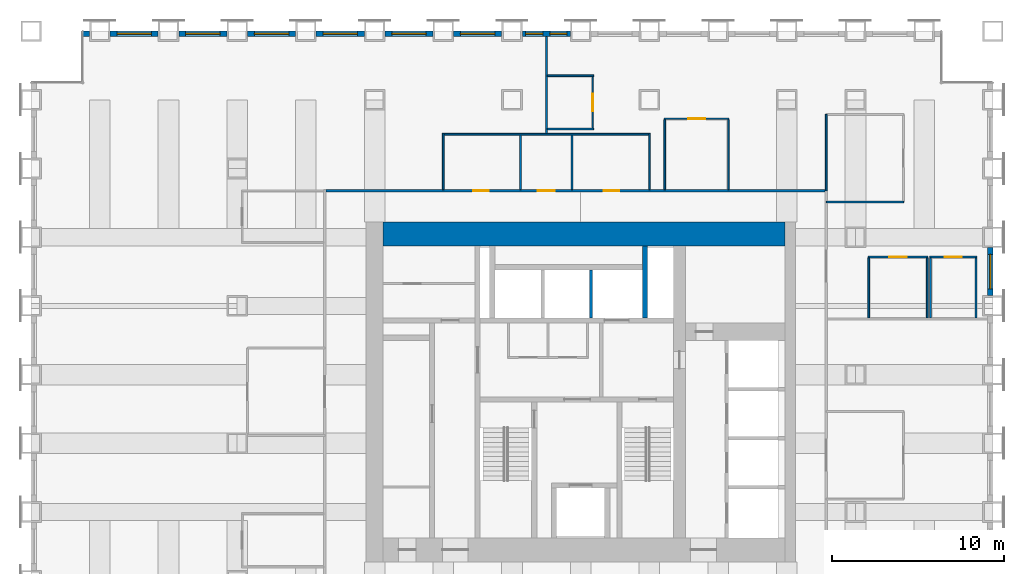
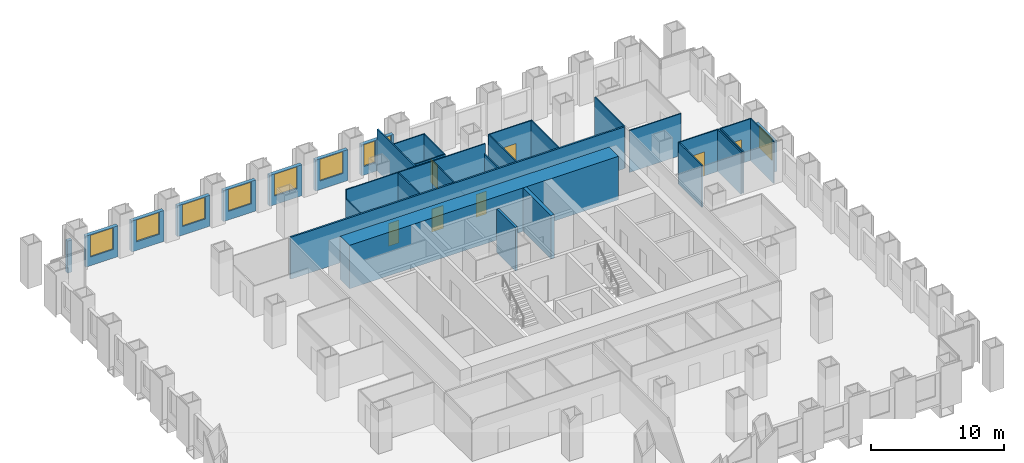
# One storey, part 11 of 14: 33 walls, 9 windows, 7 doors, 16 openings.
"""IFC4 building model written with IfcOpenShell, lengths in metres."""

from ifc_helpers import new_model, si_unit, direction, frame, frame_2d, origin, place, context, subcontext, project, spatial, rectangle, extrude, material, layer, layer_set, type_object, element, fill, save


model = new_model("IFC4")

# Units and contexts
model_context = context("Model", 3, precision=1e-05, world=origin(), true_north=direction((0.0, 1.0)))
body_context = subcontext(model_context, "Body", "Model", "MODEL_VIEW")
ifc_project = project(units=[si_unit("LENGTHUNIT", "METRE"), si_unit("AREAUNIT", "SQUARE_METRE"), si_unit("VOLUMEUNIT", "CUBIC_METRE"), si_unit("PLANEANGLEUNIT", "RADIAN"), si_unit("MASSUNIT", "GRAM", prefix="KILO")], contexts=[model_context])

# Site, building, storey
site_placement = place(None, origin())
site = spatial("IfcSite", under=ifc_project, at=site_placement, CompositionType="ELEMENT")
building_placement = place(site_placement, origin())
building = spatial("IfcBuilding", under=site, at=building_placement, Name="Rimbunsela Tower", CompositionType="ELEMENT")
storey_placement = place(building_placement, frame((0.0, 0.0, 47.0)))
storey = spatial("IfcBuildingStorey", under=building, at=storey_placement, Name="L11", CompositionType="ELEMENT", Elevation=47.0)

# Walls
ifc_material_1 = material(Name="Concrete fc' 80 MPa", Category="concrete")
ifc_layer_1 = layer(ifc_material_1, 0.300048828125)
ifc_layer_set_1 = layer_set([ifc_layer_1], Name="Core internal wall 300")
wall_type_1 = type_object("IfcWallType", Name="Core internal wall 300", PredefinedType="SHEAR", material=ifc_layer_set_1)
wall_1_placement = place(storey_placement, frame((33.75, 31.300048828125, -0.14990234375), z_axis=(0.0, 0.0, 1.0), x_axis=(0.0, 1.0, 0.0)))
element("IfcWall", 1, at=wall_1_placement, inside=storey, type_object=wall_type_1, Name="Riser wall", PredefinedType="SHEAR", context=body_context, shape_type="SweptSolid", body=[
    extrude(rectangle(XDim=4.199951171875, YDim=0.300048828125, at=frame_2d((2.10009765625, 0.0))), origin(), (0.0, 0.0, 1.0), 4.0),
])
ifc_material_2 = material(Name="Concrete fc' 80 MPa", Category="concrete")
ifc_layer_2 = layer(ifc_material_2, 1.39990234375)
ifc_layer_set_2 = layer_set([ifc_layer_2], Name="Core wall 1400")
wall_type_2 = type_object("IfcWallType", Name="Core wall 1400", PredefinedType="SHEAR", material=ifc_layer_set_2)
wall_2_placement = place(storey_placement, frame((18.5, 36.199951171875, -0.14990234375), z_axis=(0.0, 0.0, 1.0), x_axis=(1.0, 0.0, 0.0)))
element("IfcWall", 2, at=wall_2_placement, inside=storey, type_object=wall_type_2, Name="Core wall north", PredefinedType="SHEAR", context=body_context, shape_type="SweptSolid", body=[
    extrude(rectangle(XDim=23.39990234375, YDim=1.39990234375, at=frame_2d((11.699951171875, 0.0))), origin(), (0.0, 0.0, 1.0), 4.0),
])
ifc_material_3 = material(Name="Concrete blockwork", Category="masonry")
ifc_layer_3 = layer(ifc_material_3, 0.199951171875)
ifc_layer_set_3 = layer_set([ifc_layer_3], Name="Lift shaft wall 200")
wall_type_3 = type_object("IfcWallType", Name="Lift shaft wall 200", PredefinedType="SOLIDWALL", material=ifc_layer_set_3)
wall_3_placement = place(storey_placement, frame((30.60009765625, 31.300048828125, -0.14990234375), z_axis=(0.0, 0.0, 1.0), x_axis=(0.0, 1.0, 0.0)))
element("IfcWall", 3, at=wall_3_placement, inside=storey, type_object=wall_type_3, Name="Lift shaft separation", PredefinedType="SOLIDWALL", context=body_context, shape_type="SweptSolid", body=[
    extrude(rectangle(XDim=2.800048828125, YDim=0.199951171875, at=frame_2d((1.39990234375, 0.0))), origin(), (0.0, 0.0, 1.0), 4.0),
])

# Wall, opening, door
ifc_material_4 = material(Name="Gypsum board on steel studs", Category="steel")
ifc_layer_4 = layer(ifc_material_4, 0.10009765625)
ifc_layer_set_4 = layer_set([ifc_layer_4], Name="Office partition 100")
wall_type_4 = type_object("IfcWallType", Name="Office partition 100", PredefinedType="PARTITIONING", material=ifc_layer_set_4)
wall_4_placement = place(storey_placement, frame((46.72509765625, 34.85009765625, 0.0), z_axis=(0.0, 0.0, 1.0), x_axis=(1.0, 0.0, 0.0)))
wall_4 = element("IfcWall", 4, at=wall_4_placement, inside=storey, type_object=wall_type_4, Name="Office partition", PredefinedType="PARTITIONING", context=body_context, shape_type="SweptSolid", body=[
    extrude(rectangle(XDim=3.5, YDim=0.10009765625, at=frame_2d((1.75, 0.0))), origin(), (0.0, 0.0, 1.0), 3.85009765625),
])
opening_1_placement = place(wall_4_placement, frame((1.25, 0.0, 0.0)))
opening_1 = element("IfcOpeningElement", 5, at=opening_1_placement, cuts=wall_4, Name="Opening D16", PredefinedType="OPENING", context=body_context, shape_type="SweptSolid", body=[
    extrude(rectangle(XDim=1.0, YDim=2.199951171875, at=frame_2d((0.5, 1.10009765625))), frame((0.0, 0.06005859375, 0.0), z_axis=(0.0, -1.0, 0.0), x_axis=(1.0, 0.0, 0.0)), (0.0, 0.0, 1.0), 0.1201171875),
])
ifc_material_5 = material(Name="Timber door", Category="wood")
door_type_1 = type_object("IfcDoorType", Name="Office door 1000", OperationType="SINGLE_SWING_LEFT", PredefinedType="DOOR", material=ifc_material_5)
door_1_placement = place(opening_1_placement, origin())
door_1 = element("IfcDoor", 6, at=door_1_placement, inside=storey, type_object=door_type_1, Name="Office door", OperationType="SINGLE_SWING_LEFT", OverallHeight=2.199951171875, OverallWidth=1.0, PredefinedType="DOOR", context=body_context, shape_type="SweptSolid", body=[
    extrude(rectangle(XDim=1.0, YDim=2.199951171875, at=frame_2d((0.5, 1.10009765625))), frame((0.0, 0.02490234375, 0.0), z_axis=(0.0, -1.0, 0.0), x_axis=(1.0, 0.0, 0.0)), (0.0, 0.0, 1.0), 0.050048828125),
])
fill(opening_1, door_1)

wall_5_placement = place(storey_placement, frame((50.324951171875, 34.85009765625, 0.0), z_axis=(0.0, 0.0, 1.0), x_axis=(1.0, 0.0, 0.0)))
wall_5 = element("IfcWall", 7, at=wall_5_placement, inside=storey, type_object=wall_type_4, Name="Office partition", PredefinedType="PARTITIONING", context=body_context, shape_type="SweptSolid", body=[
    extrude(rectangle(XDim=2.75, YDim=0.10009765625, at=frame_2d((1.375, 0.0))), origin(), (0.0, 0.0, 1.0), 3.85009765625),
])
opening_2_placement = place(wall_5_placement, frame((0.875, 0.0, 0.0)))
opening_2 = element("IfcOpeningElement", 8, at=opening_2_placement, cuts=wall_5, Name="Opening D16", PredefinedType="OPENING", context=body_context, shape_type="SweptSolid", body=[
    extrude(rectangle(XDim=1.0, YDim=2.199951171875, at=frame_2d((0.5, 1.10009765625))), frame((0.0, 0.06005859375, 0.0), z_axis=(0.0, -1.0, 0.0), x_axis=(1.0, 0.0, 0.0)), (0.0, 0.0, 1.0), 0.1201171875),
])
door_2_placement = place(opening_2_placement, origin())
door_2 = element("IfcDoor", 9, at=door_2_placement, inside=storey, type_object=door_type_1, Name="Office door", OperationType="SINGLE_SWING_LEFT", OverallHeight=2.199951171875, OverallWidth=1.0, PredefinedType="DOOR", context=body_context, shape_type="SweptSolid", body=[
    extrude(rectangle(XDim=1.0, YDim=2.199951171875, at=frame_2d((0.5, 1.10009765625))), frame((0.0, 0.02490234375, 0.0), z_axis=(0.0, -1.0, 0.0), x_axis=(1.0, 0.0, 0.0)), (0.0, 0.0, 1.0), 0.050048828125),
])
fill(opening_2, door_2)

# Wall
wall_6_placement = place(storey_placement, frame((28.06005859375, 42.300048828125, 0.0), z_axis=(0.0, 0.0, 1.0), x_axis=(1.0, 0.0, 0.0)))
element("IfcWall", 10, at=wall_6_placement, inside=storey, type_object=wall_type_4, Name="Office partition", PredefinedType="PARTITIONING", context=body_context, shape_type="SweptSolid", body=[
    extrude(rectangle(XDim=2.68994140625, YDim=0.10009765625, at=frame_2d((1.344970703125, 0.0))), origin(), (0.0, 0.0, 1.0), 3.85009765625),
])

# Wall, opening, door
wall_7_placement = place(storey_placement, frame((34.85009765625, 42.89990234375, 0.0), z_axis=(0.0, 0.0, 1.0), x_axis=(1.0, 0.0, 0.0)))
wall_7 = element("IfcWall", 11, at=wall_7_placement, inside=storey, type_object=wall_type_4, Name="Office partition", PredefinedType="PARTITIONING", context=body_context, shape_type="SweptSolid", body=[
    extrude(rectangle(XDim=3.7998046875, YDim=0.10009765625, at=frame_2d((1.89990234375, 0.0))), origin(), (0.0, 0.0, 1.0), 3.85009765625),
])
opening_3_placement = place(wall_7_placement, frame((1.39990234375, 0.0, 0.0)))
opening_3 = element("IfcOpeningElement", 12, at=opening_3_placement, cuts=wall_7, Name="Opening D17", PredefinedType="OPENING", context=body_context, shape_type="SweptSolid", body=[
    extrude(rectangle(XDim=1.0, YDim=2.199951171875, at=frame_2d((0.5, 1.10009765625))), frame((0.0, 0.06005859375, 0.0), z_axis=(0.0, -1.0, 0.0), x_axis=(1.0, 0.0, 0.0)), (0.0, 0.0, 1.0), 0.1201171875),
])
ifc_material_6 = material(Name="Glazed aluminium door", Category="aluminium")
door_type_2 = type_object("IfcDoorType", Name="Meeting room door 1000 glazed", OperationType="SINGLE_SWING_RIGHT", PredefinedType="DOOR", material=ifc_material_6)
door_3_placement = place(opening_3_placement, origin())
door_3 = element("IfcDoor", 13, at=door_3_placement, inside=storey, type_object=door_type_2, Name="Meeting room door", OperationType="SINGLE_SWING_RIGHT", OverallHeight=2.199951171875, OverallWidth=1.0, PredefinedType="DOOR", context=body_context, shape_type="SweptSolid", body=[
    extrude(rectangle(XDim=1.0, YDim=2.199951171875, at=frame_2d((0.5, 1.10009765625))), frame((0.0, 0.02490234375, 0.0), z_axis=(0.0, -1.0, 0.0), x_axis=(1.0, 0.0, 0.0)), (0.0, 0.0, 1.0), 0.050048828125),
])
fill(opening_3, door_3)

# Wall
wall_8_placement = place(storey_placement, frame((28.06005859375, 45.39990234375, 0.0), z_axis=(0.0, 0.0, 1.0), x_axis=(1.0, 0.0, 0.0)))
element("IfcWall", 14, at=wall_8_placement, inside=storey, type_object=wall_type_4, Name="Office partition", PredefinedType="PARTITIONING", context=body_context, shape_type="SweptSolid", body=[
    extrude(rectangle(XDim=2.68994140625, YDim=0.10009765625, at=frame_2d((1.344970703125, 0.0))), origin(), (0.0, 0.0, 1.0), 3.85009765625),
])

# Wall, opening, door
wall_9_placement = place(storey_placement, frame((30.699951171875, 42.35009765625, 0.0), z_axis=(0.0, 0.0, 1.0), x_axis=(0.0, 1.0, 0.0)))
wall_9 = element("IfcWall", 15, at=wall_9_placement, inside=storey, type_object=wall_type_4, Name="Office partition", PredefinedType="PARTITIONING", context=body_context, shape_type="SweptSolid", body=[
    extrude(rectangle(XDim=3.0, YDim=0.10009765625, at=frame_2d((1.5, 0.0))), origin(), (0.0, 0.0, 1.0), 3.85009765625),
])
opening_4_placement = place(wall_9_placement, frame((1.0, 0.0, 0.0)))
opening_4 = element("IfcOpeningElement", 16, at=opening_4_placement, cuts=wall_9, Name="Opening D16", PredefinedType="OPENING", context=body_context, shape_type="SweptSolid", body=[
    extrude(rectangle(XDim=1.0, YDim=2.199951171875, at=frame_2d((0.5, 1.10009765625))), frame((0.0, 0.06005859375, 0.0), z_axis=(0.0, -1.0, 0.0), x_axis=(1.0, 0.0, 0.0)), (0.0, 0.0, 1.0), 0.1201171875),
])
door_4_placement = place(opening_4_placement, origin())
door_4 = element("IfcDoor", 17, at=door_4_placement, inside=storey, type_object=door_type_1, Name="Office door", OperationType="SINGLE_SWING_LEFT", OverallHeight=2.199951171875, OverallWidth=1.0, PredefinedType="DOOR", context=body_context, shape_type="SweptSolid", body=[
    extrude(rectangle(XDim=1.0, YDim=2.199951171875, at=frame_2d((0.5, 1.10009765625))), frame((0.0, 0.02490234375, 0.0), z_axis=(0.0, -1.0, 0.0), x_axis=(1.0, 0.0, 0.0)), (0.0, 0.0, 1.0), 0.050048828125),
])
fill(opening_4, door_4)

# Walls
for number, where, z_axis, x_axis, name in (
    (18, (34.89990234375, 38.77490234375, 0.0), (0.0, 0.0, 1.0), (0.0, 1.0, 0.0), "Office partition"),
    (19, (38.60009765625, 38.77490234375, 0.0), (0.0, 0.0, 1.0), (0.0, 1.0, 0.0), "Office partition"),
):
    element("IfcWall", number, at=place(storey_placement, frame(where, z_axis=z_axis, x_axis=x_axis)), inside=storey, type_object=wall_type_4, Name=name, PredefinedType="PARTITIONING", context=body_context, shape_type="SweptSolid", body=[
        extrude(rectangle(XDim=4.0751953125, YDim=0.10009765625, at=frame_2d((2.03759765625, 0.0))), origin(), (0.0, 0.0, 1.0), 3.85009765625),
    ])
for number, where, z_axis, x_axis, name in (
    (20, (46.77490234375, 31.31005859375, 0.0), (0.0, 0.0, 1.0), (0.0, 1.0, 0.0), "Office partition"),
    (21, (50.175048828125, 31.31005859375, 0.0), (0.0, 0.0, 1.0), (0.0, 1.0, 0.0), "Office partition"),
    (22, (50.375, 31.31005859375, 0.0), (0.0, 0.0, 1.0), (0.0, 1.0, 0.0), "Office partition"),
    (23, (53.02490234375, 31.31005859375, 0.0), (0.0, 0.0, 1.0), (0.0, 1.0, 0.0), "Office partition"),
):
    element("IfcWall", number, at=place(storey_placement, frame(where, z_axis=z_axis, x_axis=x_axis)), inside=storey, type_object=wall_type_4, Name=name, PredefinedType="PARTITIONING", context=body_context, shape_type="SweptSolid", body=[
        extrude(rectangle(XDim=3.489990234375, YDim=0.10009765625, at=frame_2d((1.7451171875, 0.0))), origin(), (0.0, 0.0, 1.0), 3.85009765625),
    ])
wall_10_placement = place(storey_placement, frame((44.300048828125, 38.050048828125, 0.0), z_axis=(0.0, 0.0, 1.0), x_axis=(1.0, 0.0, 0.0)))
element("IfcWall", 24, at=wall_10_placement, inside=storey, type_object=wall_type_4, Name="Office partition", PredefinedType="PARTITIONING", context=body_context, shape_type="SweptSolid", body=[
    extrude(rectangle(XDim=4.5, YDim=0.10009765625, at=frame_2d((2.25, 0.0))), origin(), (0.0, 0.0, 1.0), 3.85009765625),
])
wall_11_placement = place(storey_placement, frame((44.300048828125, 43.14990234375, 0.0), z_axis=(0.0, 0.0, 1.0), x_axis=(0.0, -1.0, 0.0)))
element("IfcWall", 25, at=wall_11_placement, inside=storey, type_object=wall_type_4, Name="Office partition", PredefinedType="PARTITIONING", context=body_context, shape_type="SweptSolid", body=[
    extrude(rectangle(XDim=4.449951171875, YDim=0.10009765625, at=frame_2d((2.22509765625, 0.0))), origin(), (0.0, 0.0, 1.0), 3.85009765625),
])

# Wall, opening, window
ifc_material_7 = material(Name="Precast concrete fc' 35 MPa", Category="concrete")
ifc_layer_5 = layer(ifc_material_7, 0.300048828125)
ifc_layer_set_5 = layer_set([ifc_layer_5], Name="Precast concrete fc' 35 MPa")
wall_type_5 = type_object("IfcWallType", Name="Precast facade panel 300", PredefinedType="ELEMENTEDWALL", material=ifc_layer_set_5)
wall_12_placement = place(storey_placement, frame((53.85009765625, 32.60009765625, 0.0), z_axis=(0.0, 0.0, 1.0), x_axis=(0.0, 1.0, 0.0)))
wall_12 = element("IfcWall", 26, at=wall_12_placement, inside=storey, type_object=wall_type_5, Name="Facade panel E L11", PredefinedType="ELEMENTEDWALL", context=body_context, shape_type="SweptSolid", body=[
    extrude(rectangle(XDim=2.7998046875, YDim=0.300048828125, at=frame_2d((1.39990234375, 0.0))), origin(), (0.0, 0.0, 1.0), 2.85009765625),
])
opening_5_placement = place(wall_12_placement, frame((0.39990234375, 0.0, 0.800048828125)))
opening_5 = element("IfcOpeningElement", 27, at=opening_5_placement, cuts=wall_12, Name="Opening W1", PredefinedType="OPENING", context=body_context, shape_type="SweptSolid", body=[
    extrude(rectangle(XDim=2.0, YDim=2.0, at=frame_2d((1.0, 1.0))), frame((0.0, 0.159912109375, 0.0), z_axis=(0.0, -1.0, 0.0), x_axis=(1.0, 0.0, 0.0)), (0.0, 0.0, 1.0), 0.320068359375),
])
ifc_material_8 = material(Name="Clear glass in aluminium frame", Category="aluminium")
window_type_1 = type_object("IfcWindowType", Name="Window W1 2000x2000", PartitioningType="DOUBLE_PANEL_VERTICAL", PredefinedType="WINDOW", material=ifc_material_8)
window_1_placement = place(opening_5_placement, origin())
window_1 = element("IfcWindow", 28, at=window_1_placement, inside=storey, type_object=window_type_1, Name="Window L11", OverallHeight=2.0, OverallWidth=2.0, PartitioningType="SINGLE_PANEL", PredefinedType="WINDOW", context=body_context, shape_type="SweptSolid", body=[
    extrude(rectangle(XDim=2.0, YDim=2.0, at=frame_2d((1.0, 1.0))), frame((0.0, 0.030029296875, 0.0), z_axis=(0.0, -1.0, 0.0), x_axis=(1.0, 0.0, 0.0)), (0.0, 0.0, 1.0), 0.06005859375),
])
fill(opening_5, window_1)

# Wall
wall_13_placement = place(storey_placement, frame((1.39990234375, 47.85009765625, 0.0), z_axis=(0.0, 0.0, 1.0), x_axis=(-1.0, 0.0, 0.0)))
element("IfcWall", 29, at=wall_13_placement, inside=storey, type_object=wall_type_5, Name="Facade panel N L11", PredefinedType="ELEMENTEDWALL", context=body_context, shape_type="SweptSolid", body=[
    extrude(rectangle(XDim=0.369873046875, YDim=0.300048828125, at=frame_2d((0.18505859375, 0.0))), origin(), (0.0, 0.0, 1.0), 2.949951171875),
])

# Wall, opening, window
wall_14_placement = place(storey_placement, frame((5.39990234375, 47.85009765625, 0.0), z_axis=(0.0, 0.0, 1.0), x_axis=(-1.0, 0.0, 0.0)))
wall_14 = element("IfcWall", 30, at=wall_14_placement, inside=storey, type_object=wall_type_5, Name="Facade panel N L11", PredefinedType="ELEMENTEDWALL", context=body_context, shape_type="SweptSolid", body=[
    extrude(rectangle(XDim=2.7998046875, YDim=0.300048828125, at=frame_2d((1.39990234375, 0.0))), origin(), (0.0, 0.0, 1.0), 2.85009765625),
])
opening_6_placement = place(wall_14_placement, frame((0.39990234375, 0.0, 0.800048828125)))
opening_6 = element("IfcOpeningElement", 31, at=opening_6_placement, cuts=wall_14, Name="Opening W1", PredefinedType="OPENING", context=body_context, shape_type="SweptSolid", body=[
    extrude(rectangle(XDim=2.0, YDim=2.0, at=frame_2d((1.0, 1.0))), frame((0.0, 0.159912109375, 0.0), z_axis=(0.0, -1.0, 0.0), x_axis=(1.0, 0.0, 0.0)), (0.0, 0.0, 1.0), 0.320068359375),
])
window_2_placement = place(opening_6_placement, origin())
window_2 = element("IfcWindow", 32, at=window_2_placement, inside=storey, type_object=window_type_1, Name="Window L11", OverallHeight=2.0, OverallWidth=2.0, PartitioningType="SINGLE_PANEL", PredefinedType="WINDOW", context=body_context, shape_type="SweptSolid", body=[
    extrude(rectangle(XDim=2.0, YDim=2.0, at=frame_2d((1.0, 1.0))), frame((0.0, 0.030029296875, 0.0), z_axis=(0.0, -1.0, 0.0), x_axis=(1.0, 0.0, 0.0)), (0.0, 0.0, 1.0), 0.06005859375),
])
fill(opening_6, window_2)

wall_15_placement = place(storey_placement, frame((9.39990234375, 47.85009765625, 0.0), z_axis=(0.0, 0.0, 1.0), x_axis=(-1.0, 0.0, 0.0)))
wall_15 = element("IfcWall", 33, at=wall_15_placement, inside=storey, type_object=wall_type_5, Name="Facade panel N L11", PredefinedType="ELEMENTEDWALL", context=body_context, shape_type="SweptSolid", body=[
    extrude(rectangle(XDim=2.7998046875, YDim=0.300048828125, at=frame_2d((1.39990234375, 0.0))), origin(), (0.0, 0.0, 1.0), 2.85009765625),
])
opening_7_placement = place(wall_15_placement, frame((0.39990234375, 0.0, 0.800048828125)))
opening_7 = element("IfcOpeningElement", 34, at=opening_7_placement, cuts=wall_15, Name="Opening W1", PredefinedType="OPENING", context=body_context, shape_type="SweptSolid", body=[
    extrude(rectangle(XDim=2.0, YDim=2.0, at=frame_2d((1.0, 1.0))), frame((0.0, 0.159912109375, 0.0), z_axis=(0.0, -1.0, 0.0), x_axis=(1.0, 0.0, 0.0)), (0.0, 0.0, 1.0), 0.320068359375),
])
window_3_placement = place(opening_7_placement, origin())
window_3 = element("IfcWindow", 35, at=window_3_placement, inside=storey, type_object=window_type_1, Name="Window L11", OverallHeight=2.0, OverallWidth=2.0, PartitioningType="SINGLE_PANEL", PredefinedType="WINDOW", context=body_context, shape_type="SweptSolid", body=[
    extrude(rectangle(XDim=2.0, YDim=2.0, at=frame_2d((1.0, 1.0))), frame((0.0, 0.030029296875, 0.0), z_axis=(0.0, -1.0, 0.0), x_axis=(1.0, 0.0, 0.0)), (0.0, 0.0, 1.0), 0.06005859375),
])
fill(opening_7, window_3)

wall_16_placement = place(storey_placement, frame((13.39990234375, 47.85009765625, 0.0), z_axis=(0.0, 0.0, 1.0), x_axis=(-1.0, 0.0, 0.0)))
wall_16 = element("IfcWall", 36, at=wall_16_placement, inside=storey, type_object=wall_type_5, Name="Facade panel N L11", PredefinedType="ELEMENTEDWALL", context=body_context, shape_type="SweptSolid", body=[
    extrude(rectangle(XDim=2.7998046875, YDim=0.300048828125, at=frame_2d((1.39990234375, 0.0))), origin(), (0.0, 0.0, 1.0), 2.85009765625),
])
opening_8_placement = place(wall_16_placement, frame((0.39990234375, 0.0, 0.800048828125)))
opening_8 = element("IfcOpeningElement", 37, at=opening_8_placement, cuts=wall_16, Name="Opening W1", PredefinedType="OPENING", context=body_context, shape_type="SweptSolid", body=[
    extrude(rectangle(XDim=2.0, YDim=2.0, at=frame_2d((1.0, 1.0))), frame((0.0, 0.159912109375, 0.0), z_axis=(0.0, -1.0, 0.0), x_axis=(1.0, 0.0, 0.0)), (0.0, 0.0, 1.0), 0.320068359375),
])
window_4_placement = place(opening_8_placement, origin())
window_4 = element("IfcWindow", 38, at=window_4_placement, inside=storey, type_object=window_type_1, Name="Window L11", OverallHeight=2.0, OverallWidth=2.0, PartitioningType="SINGLE_PANEL", PredefinedType="WINDOW", context=body_context, shape_type="SweptSolid", body=[
    extrude(rectangle(XDim=2.0, YDim=2.0, at=frame_2d((1.0, 1.0))), frame((0.0, 0.030029296875, 0.0), z_axis=(0.0, -1.0, 0.0), x_axis=(1.0, 0.0, 0.0)), (0.0, 0.0, 1.0), 0.06005859375),
])
fill(opening_8, window_4)

wall_17_placement = place(storey_placement, frame((17.39990234375, 47.85009765625, 0.0), z_axis=(0.0, 0.0, 1.0), x_axis=(-1.0, 0.0, 0.0)))
wall_17 = element("IfcWall", 39, at=wall_17_placement, inside=storey, type_object=wall_type_5, Name="Facade panel N L11", PredefinedType="ELEMENTEDWALL", context=body_context, shape_type="SweptSolid", body=[
    extrude(rectangle(XDim=2.7998046875, YDim=0.300048828125, at=frame_2d((1.39990234375, 0.0))), origin(), (0.0, 0.0, 1.0), 2.85009765625),
])
opening_9_placement = place(wall_17_placement, frame((0.39990234375, 0.0, 0.800048828125)))
opening_9 = element("IfcOpeningElement", 40, at=opening_9_placement, cuts=wall_17, Name="Opening W1", PredefinedType="OPENING", context=body_context, shape_type="SweptSolid", body=[
    extrude(rectangle(XDim=2.0, YDim=2.0, at=frame_2d((1.0, 1.0))), frame((0.0, 0.159912109375, 0.0), z_axis=(0.0, -1.0, 0.0), x_axis=(1.0, 0.0, 0.0)), (0.0, 0.0, 1.0), 0.320068359375),
])
window_5_placement = place(opening_9_placement, origin())
window_5 = element("IfcWindow", 41, at=window_5_placement, inside=storey, type_object=window_type_1, Name="Window L11", OverallHeight=2.0, OverallWidth=2.0, PartitioningType="SINGLE_PANEL", PredefinedType="WINDOW", context=body_context, shape_type="SweptSolid", body=[
    extrude(rectangle(XDim=2.0, YDim=2.0, at=frame_2d((1.0, 1.0))), frame((0.0, 0.030029296875, 0.0), z_axis=(0.0, -1.0, 0.0), x_axis=(1.0, 0.0, 0.0)), (0.0, 0.0, 1.0), 0.06005859375),
])
fill(opening_9, window_5)

wall_18_placement = place(storey_placement, frame((21.39990234375, 47.85009765625, 0.0), z_axis=(0.0, 0.0, 1.0), x_axis=(-1.0, 0.0, 0.0)))
wall_18 = element("IfcWall", 42, at=wall_18_placement, inside=storey, type_object=wall_type_5, Name="Facade panel N L11", PredefinedType="ELEMENTEDWALL", context=body_context, shape_type="SweptSolid", body=[
    extrude(rectangle(XDim=2.7998046875, YDim=0.300048828125, at=frame_2d((1.39990234375, 0.0))), origin(), (0.0, 0.0, 1.0), 2.85009765625),
])
opening_10_placement = place(wall_18_placement, frame((0.39990234375, 0.0, 0.800048828125)))
opening_10 = element("IfcOpeningElement", 43, at=opening_10_placement, cuts=wall_18, Name="Opening W1", PredefinedType="OPENING", context=body_context, shape_type="SweptSolid", body=[
    extrude(rectangle(XDim=2.0, YDim=2.0, at=frame_2d((1.0, 1.0))), frame((0.0, 0.159912109375, 0.0), z_axis=(0.0, -1.0, 0.0), x_axis=(1.0, 0.0, 0.0)), (0.0, 0.0, 1.0), 0.320068359375),
])
window_6_placement = place(opening_10_placement, origin())
window_6 = element("IfcWindow", 44, at=window_6_placement, inside=storey, type_object=window_type_1, Name="Window L11", OverallHeight=2.0, OverallWidth=2.0, PartitioningType="SINGLE_PANEL", PredefinedType="WINDOW", context=body_context, shape_type="SweptSolid", body=[
    extrude(rectangle(XDim=2.0, YDim=2.0, at=frame_2d((1.0, 1.0))), frame((0.0, 0.030029296875, 0.0), z_axis=(0.0, -1.0, 0.0), x_axis=(1.0, 0.0, 0.0)), (0.0, 0.0, 1.0), 0.06005859375),
])
fill(opening_10, window_6)

wall_19_placement = place(storey_placement, frame((25.39990234375, 47.85009765625, 0.0), z_axis=(0.0, 0.0, 1.0), x_axis=(-1.0, 0.0, 0.0)))
wall_19 = element("IfcWall", 45, at=wall_19_placement, inside=storey, type_object=wall_type_5, Name="Facade panel N L11", PredefinedType="ELEMENTEDWALL", context=body_context, shape_type="SweptSolid", body=[
    extrude(rectangle(XDim=2.7998046875, YDim=0.300048828125, at=frame_2d((1.39990234375, 0.0))), origin(), (0.0, 0.0, 1.0), 2.85009765625),
])
opening_11_placement = place(wall_19_placement, frame((0.39990234375, 0.0, 0.800048828125)))
opening_11 = element("IfcOpeningElement", 46, at=opening_11_placement, cuts=wall_19, Name="Opening W1", PredefinedType="OPENING", context=body_context, shape_type="SweptSolid", body=[
    extrude(rectangle(XDim=2.0, YDim=2.0, at=frame_2d((1.0, 1.0))), frame((0.0, 0.159912109375, 0.0), z_axis=(0.0, -1.0, 0.0), x_axis=(1.0, 0.0, 0.0)), (0.0, 0.0, 1.0), 0.320068359375),
])
window_7_placement = place(opening_11_placement, origin())
window_7 = element("IfcWindow", 47, at=window_7_placement, inside=storey, type_object=window_type_1, Name="Window L11", OverallHeight=2.0, OverallWidth=2.0, PartitioningType="SINGLE_PANEL", PredefinedType="WINDOW", context=body_context, shape_type="SweptSolid", body=[
    extrude(rectangle(XDim=2.0, YDim=2.0, at=frame_2d((1.0, 1.0))), frame((0.0, 0.030029296875, 0.0), z_axis=(0.0, -1.0, 0.0), x_axis=(1.0, 0.0, 0.0)), (0.0, 0.0, 1.0), 0.06005859375),
])
fill(opening_11, window_7)

# Wall, openings, windows
wall_20_placement = place(storey_placement, frame((29.39990234375, 47.85009765625, 0.0), z_axis=(0.0, 0.0, 1.0), x_axis=(-1.0, 0.0, 0.0)))
wall_20 = element("IfcWall", 48, at=wall_20_placement, inside=storey, type_object=wall_type_5, Name="Facade panel N L11", PredefinedType="ELEMENTEDWALL", context=body_context, shape_type="SweptSolid", body=[
    extrude(rectangle(XDim=2.7998046875, YDim=0.300048828125, at=frame_2d((1.39990234375, 0.0))), origin(), (0.0, 0.0, 1.0), 2.85009765625),
])
opening_12_placement = place(wall_20_placement, frame((1.60009765625, 0.0, 0.800048828125)))
opening_12 = element("IfcOpeningElement", 49, at=opening_12_placement, cuts=wall_20, Name="Opening W5", PredefinedType="OPENING", context=body_context, shape_type="SweptSolid", body=[
    extrude(rectangle(XDim=1.0, YDim=2.0, at=frame_2d((0.5, 1.0))), frame((0.0, 0.159912109375, 0.0), z_axis=(0.0, -1.0, 0.0), x_axis=(1.0, 0.0, 0.0)), (0.0, 0.0, 1.0), 0.320068359375),
])
opening_13_placement = place(wall_20_placement, frame((0.199951171875, 0.0, 0.800048828125)))
opening_13 = element("IfcOpeningElement", 50, at=opening_13_placement, cuts=wall_20, Name="Opening W5", PredefinedType="OPENING", context=body_context, shape_type="SweptSolid", body=[
    extrude(rectangle(XDim=1.0, YDim=2.0, at=frame_2d((0.5, 1.0))), frame((0.0, 0.159912109375, 0.0), z_axis=(0.0, -1.0, 0.0), x_axis=(1.0, 0.0, 0.0)), (0.0, 0.0, 1.0), 0.320068359375),
])
ifc_material_9 = material(Name="Clear glass in aluminium frame", Category="aluminium")
window_type_2 = type_object("IfcWindowType", Name="Window W5 1000x2000", PartitioningType="SINGLE_PANEL", PredefinedType="WINDOW", material=ifc_material_9)
window_8_placement = place(opening_12_placement, origin())
window_8 = element("IfcWindow", 51, at=window_8_placement, inside=storey, type_object=window_type_2, Name="Window L11", OverallHeight=2.0, OverallWidth=1.0, PartitioningType="SINGLE_PANEL", PredefinedType="WINDOW", context=body_context, shape_type="SweptSolid", body=[
    extrude(rectangle(XDim=1.0, YDim=2.0, at=frame_2d((0.5, 1.0))), frame((0.0, 0.030029296875, 0.0), z_axis=(0.0, -1.0, 0.0), x_axis=(1.0, 0.0, 0.0)), (0.0, 0.0, 1.0), 0.06005859375),
])
fill(opening_12, window_8)
window_9_placement = place(opening_13_placement, origin())
window_9 = element("IfcWindow", 52, at=window_9_placement, inside=storey, type_object=window_type_2, Name="Window L11", OverallHeight=2.0, OverallWidth=1.0, PartitioningType="SINGLE_PANEL", PredefinedType="WINDOW", context=body_context, shape_type="SweptSolid", body=[
    extrude(rectangle(XDim=1.0, YDim=2.0, at=frame_2d((0.5, 1.0))), frame((0.0, 0.030029296875, 0.0), z_axis=(0.0, -1.0, 0.0), x_axis=(1.0, 0.0, 0.0)), (0.0, 0.0, 1.0), 0.06005859375),
])
fill(opening_13, window_9)

# Wall, openings, doors
ifc_material_10 = material(Name="Fire-rated gypsum board on steel studs, EI 60", Category="steel")
ifc_layer_6 = layer(ifc_material_10, 0.14990234375)
ifc_layer_set_6 = layer_set([ifc_layer_6], Name="Rated corridor wall 150")
wall_type_6 = type_object("IfcWallType", Name="Rated corridor wall 150", PredefinedType="PARTITIONING", material=ifc_layer_set_6)
wall_21_placement = place(storey_placement, frame((15.175048828125, 38.699951171875, 0.0), z_axis=(0.0, 0.0, 1.0), x_axis=(1.0, 0.0, 0.0)))
wall_21 = element("IfcWall", 53, at=wall_21_placement, inside=storey, type_object=wall_type_6, Name="Corridor wall north", PredefinedType="PARTITIONING", context=body_context, shape_type="SweptSolid", body=[
    extrude(rectangle(XDim=29.050048828125, YDim=0.14990234375, at=frame_2d((14.52490234375, 0.0))), origin(), (0.0, 0.0, 1.0), 3.85009765625),
])
opening_14_placement = place(wall_21_placement, frame((8.574951171875, 0.0, 0.0)))
opening_14 = element("IfcOpeningElement", 54, at=opening_14_placement, cuts=wall_21, Name="Opening D04", PredefinedType="OPENING", context=body_context, shape_type="SweptSolid", body=[
    extrude(rectangle(XDim=0.89990234375, YDim=2.10009765625, at=frame_2d((0.449951171875, 1.050048828125))), frame((0.0, 0.0849609375, 0.0), z_axis=(0.0, -1.0, 0.0), x_axis=(1.0, 0.0, 0.0)), (0.0, 0.0, 1.0), 0.169921875),
])
opening_15_placement = place(wall_21_placement, frame((12.324951171875, 0.0, 0.0)))
opening_15 = element("IfcOpeningElement", 55, at=opening_15_placement, cuts=wall_21, Name="Opening D05", PredefinedType="OPENING", context=body_context, shape_type="SweptSolid", body=[
    extrude(rectangle(XDim=1.0, YDim=2.10009765625, at=frame_2d((0.5, 1.050048828125))), frame((0.0, 0.0849609375, 0.0), z_axis=(0.0, -1.0, 0.0), x_axis=(1.0, 0.0, 0.0)), (0.0, 0.0, 1.0), 0.169921875),
])
opening_16_placement = place(wall_21_placement, frame((16.175048828125, 0.0, 0.0)))
opening_16 = element("IfcOpeningElement", 56, at=opening_16_placement, cuts=wall_21, Name="Opening D04", PredefinedType="OPENING", context=body_context, shape_type="SweptSolid", body=[
    extrude(rectangle(XDim=0.89990234375, YDim=2.10009765625, at=frame_2d((0.449951171875, 1.050048828125))), frame((0.0, 0.0849609375, 0.0), z_axis=(0.0, -1.0, 0.0), x_axis=(1.0, 0.0, 0.0)), (0.0, 0.0, 1.0), 0.169921875),
])
ifc_material_11 = material(Name="Timber door", Category="wood")
door_type_3 = type_object("IfcDoorType", Name="Accessible WC door 1000", OperationType="SLIDING_TO_LEFT", PredefinedType="DOOR", material=ifc_material_11)
door_5_placement = place(opening_15_placement, origin())
door_5 = element("IfcDoor", 57, at=door_5_placement, inside=storey, type_object=door_type_3, Name="Accessible WC door", OperationType="SLIDING_TO_LEFT", OverallHeight=2.10009765625, OverallWidth=1.0, PredefinedType="DOOR", context=body_context, shape_type="SweptSolid", body=[
    extrude(rectangle(XDim=1.0, YDim=2.10009765625, at=frame_2d((0.5, 1.050048828125))), frame((0.0, 0.02490234375, 0.0), z_axis=(0.0, -1.0, 0.0), x_axis=(1.0, 0.0, 0.0)), (0.0, 0.0, 1.0), 0.050048828125),
])
fill(opening_15, door_5)
ifc_material_12 = material(Name="Timber door", Category="wood")
door_type_4 = type_object("IfcDoorType", Name="Toilet door 900", OperationType="SINGLE_SWING_LEFT", PredefinedType="DOOR", material=ifc_material_12)
door_6_placement = place(opening_14_placement, origin())
door_6 = element("IfcDoor", 58, at=door_6_placement, inside=storey, type_object=door_type_4, Name="Female WC door", OperationType="SINGLE_SWING_LEFT", OverallHeight=2.10009765625, OverallWidth=0.89990234375, PredefinedType="DOOR", context=body_context, shape_type="SweptSolid", body=[
    extrude(rectangle(XDim=0.89990234375, YDim=2.10009765625, at=frame_2d((0.449951171875, 1.050048828125))), frame((0.0, 0.02490234375, 0.0), z_axis=(0.0, -1.0, 0.0), x_axis=(1.0, 0.0, 0.0)), (0.0, 0.0, 1.0), 0.050048828125),
])
fill(opening_14, door_6)
door_7_placement = place(opening_16_placement, origin())
door_7 = element("IfcDoor", 59, at=door_7_placement, inside=storey, type_object=door_type_4, Name="Male WC door", OperationType="SINGLE_SWING_LEFT", OverallHeight=2.10009765625, OverallWidth=0.89990234375, PredefinedType="DOOR", context=body_context, shape_type="SweptSolid", body=[
    extrude(rectangle(XDim=0.89990234375, YDim=2.10009765625, at=frame_2d((0.449951171875, 1.050048828125))), frame((0.0, 0.02490234375, 0.0), z_axis=(0.0, -1.0, 0.0), x_axis=(1.0, 0.0, 0.0)), (0.0, 0.0, 1.0), 0.050048828125),
])
fill(opening_16, door_7)

# Walls
ifc_material_13 = material(Name="Gypsum board on steel studs", Category="steel")
ifc_layer_7 = layer(ifc_material_13, 0.1201171875)
ifc_layer_set_7 = layer_set([ifc_layer_7], Name="Tenancy partition 120")
wall_type_7 = type_object("IfcWallType", Name="Tenancy partition 120", PredefinedType="PARTITIONING", material=ifc_layer_set_7)
wall_22_placement = place(storey_placement, frame((28.0, 42.050048828125, 0.0), z_axis=(0.0, 0.0, 1.0), x_axis=(0.0, 1.0, 0.0)))
element("IfcWall", 60, at=wall_22_placement, inside=storey, type_object=wall_type_7, Name="Tenancy partition north", PredefinedType="PARTITIONING", context=body_context, shape_type="SweptSolid", body=[
    extrude(rectangle(XDim=5.64990234375, YDim=0.1201171875, at=frame_2d((2.824951171875, 0.0))), origin(), (0.0, 0.0, 1.0), 3.85009765625),
])
ifc_material_14 = material(Name="Concrete blockwork", Category="masonry")
ifc_layer_8 = layer(ifc_material_14, 0.10009765625)
ifc_layer_set_8 = layer_set([ifc_layer_8], Name="Toilet partition 100")
wall_type_8 = type_object("IfcWallType", Name="Toilet partition 100", PredefinedType="PARTITIONING", material=ifc_layer_set_8)
for number, where, z_axis, x_axis, name in (
    (61, (22.0, 38.77490234375, 0.0), (0.0, 0.0, 1.0), (0.0, 1.0, 0.0), "Toilet block wall west"),
    (62, (34.0, 38.77490234375, 0.0), (0.0, 0.0, 1.0), (0.0, 1.0, 0.0), "Toilet block wall east"),
):
    element("IfcWall", number, at=place(storey_placement, frame(where, z_axis=z_axis, x_axis=x_axis)), inside=storey, type_object=wall_type_8, Name=name, PredefinedType="PARTITIONING", context=body_context, shape_type="SweptSolid", body=[
        extrude(rectangle(XDim=3.275146484375, YDim=0.10009765625, at=frame_2d((1.6376953125, 0.0))), origin(), (0.0, 0.0, 1.0), 2.949951171875),
    ])
wall_23_placement = place(storey_placement, frame((21.949951171875, 42.0, 0.0), z_axis=(0.0, 0.0, 1.0), x_axis=(1.0, 0.0, 0.0)))
element("IfcWall", 63, at=wall_23_placement, inside=storey, type_object=wall_type_8, Name="Toilet block wall north", PredefinedType="PARTITIONING", context=body_context, shape_type="SweptSolid", body=[
    extrude(rectangle(XDim=12.10009765625, YDim=0.10009765625, at=frame_2d((6.050048828125, 0.0))), origin(), (0.0, 0.0, 1.0), 3.85009765625),
])
for number, where, z_axis, x_axis, name in (
    (64, (26.5, 38.77490234375, 0.0), (0.0, 0.0, 1.0), (0.0, 1.0, 0.0), "Toilet partition"),
    (65, (29.5, 38.77490234375, 0.0), (0.0, 0.0, 1.0), (0.0, 1.0, 0.0), "Toilet partition"),
):
    element("IfcWall", number, at=place(storey_placement, frame(where, z_axis=z_axis, x_axis=x_axis)), inside=storey, type_object=wall_type_8, Name=name, PredefinedType="PARTITIONING", context=body_context, shape_type="SweptSolid", body=[
        extrude(rectangle(XDim=3.175048828125, YDim=0.10009765625, at=frame_2d((1.58740234375, 0.0))), origin(), (0.0, 0.0, 1.0), 3.85009765625),
    ])

save(model, "model.ifc")
